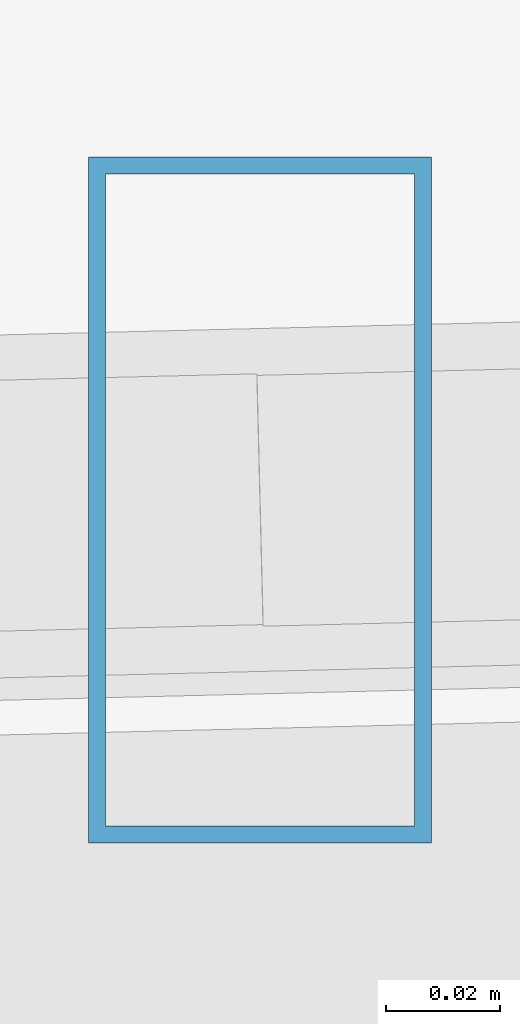
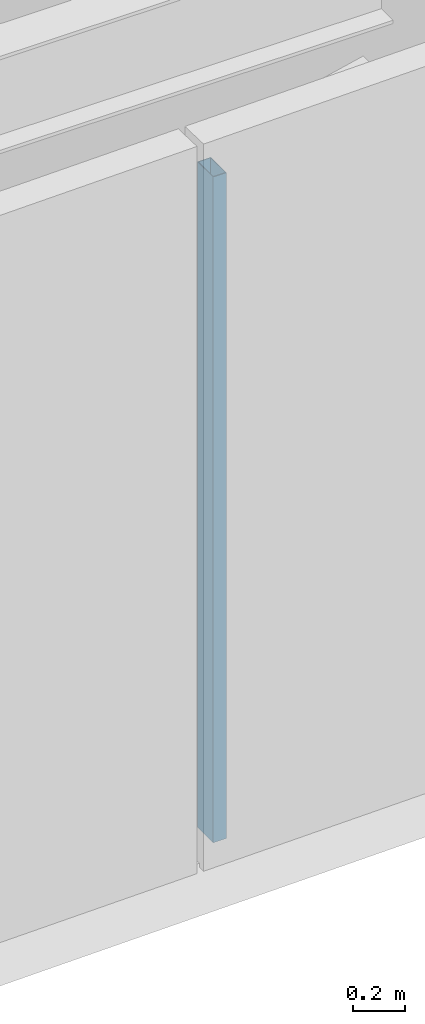
# One storey, part 13 of 44: 1 member, 1 element without a shape of its own.
"""IFC4 building model written with IfcOpenShell, lengths in metres."""

from ifc_helpers import new_model, si_unit, direction, frame, origin, origin_2d, place, context, subcontext, project, spatial, hollow_rectangle, extrude, source, transform, mapped, material, material_profile, profile_set, type_object, type_shapes, element, aggregate, save


model = new_model("IFC4")

# Units and contexts
model_context = context("Model", 3, precision=1e-05, world=origin(), true_north=direction((0.0, 1.0)))
body_context = subcontext(model_context, "Body", "Model", "MODEL_VIEW")
ifc_project = project(units=[si_unit("LENGTHUNIT", "METRE"), si_unit("AREAUNIT", "SQUARE_METRE"), si_unit("VOLUMEUNIT", "CUBIC_METRE"), si_unit("PLANEANGLEUNIT", "RADIAN"), si_unit("MASSUNIT", "GRAM", prefix="KILO")], contexts=[model_context])

# Site, building, storey
site_placement = place(None, origin())
site = spatial("IfcSite", under=ifc_project, at=site_placement, CompositionType="ELEMENT")
building_placement = place(site_placement, origin())
building = spatial("IfcBuilding", under=site, at=building_placement, Name="Caelisora Broadcast Tower", CompositionType="ELEMENT")
storey_placement = place(building_placement, frame((0.0, 0.0, 296.60009765625)))
storey = spatial("IfcBuildingStorey", under=building, at=storey_placement, Name="L78", CompositionType="ELEMENT", Elevation=296.60009765625)

# Curtain wall, member
ifc_material_1 = material(Name="Unitised Aluminium Insulated Shadow-Box Spandrel Curtain Wall", Category="aluminium")
curtain_wall_type = type_object("IfcCurtainWallType", Name="CW-SP3", PredefinedType="NOTDEFINED", material=ifc_material_1)
curtain_wall_placement = place(storey_placement, origin())
curtain_wall = element("IfcCurtainWall", 1, at=curtain_wall_placement, inside=storey, type_object=curtain_wall_type, Name="L78 curtain wall CW-SP3", PredefinedType="NOTDEFINED")
ifc_material_2 = material(Name="Aluminium 6063-T6 Anodised Terracotta Bronze", Category="aluminium")
ifc_material_profile = material_profile(ifc_material_2, hollow_rectangle(XDim=0.06005859375, YDim=0.1201171875, WallThickness=0.0029296875, at=origin_2d()), Name="Aluminium 6063-T6 Anodised Terracotta Bronze")
ifc_profile_set = profile_set([ifc_material_profile], Name="Aluminium 6063-T6 Anodised Terracotta Bronze")
member_type = type_object("IfcMemberType", Name="CWM-04", PredefinedType="MULLION", material=ifc_profile_set)
shared_shape = source(origin(), body_context, "Body", "SweptSolid", [
    extrude(hollow_rectangle(XDim=0.06005859375, YDim=0.1201171875, WallThickness=0.0029296875, at=origin_2d()), origin(), (0.0, 0.0, 1.0), 3.14990234375),
])
type_shapes(member_type, [shared_shape])
member_placement = place(storey_placement, frame((39.989501953125, 9.042236328125, 0.0), z_axis=(0.0, 0.0, 1.0), x_axis=(1.0, 0.0, 0.0)))
member = element("IfcMember", 2, at=member_placement, type_object=member_type, Name="L78-CW-B06 mullion #1", PredefinedType="MULLION", context=body_context, shape_type="MappedRepresentation", body=[
    mapped(shared_shape, transform((0.0, 0.0, 0.0), scale=1.0)),
])
aggregate(curtain_wall, [member])

save(model, "model.ifc")
